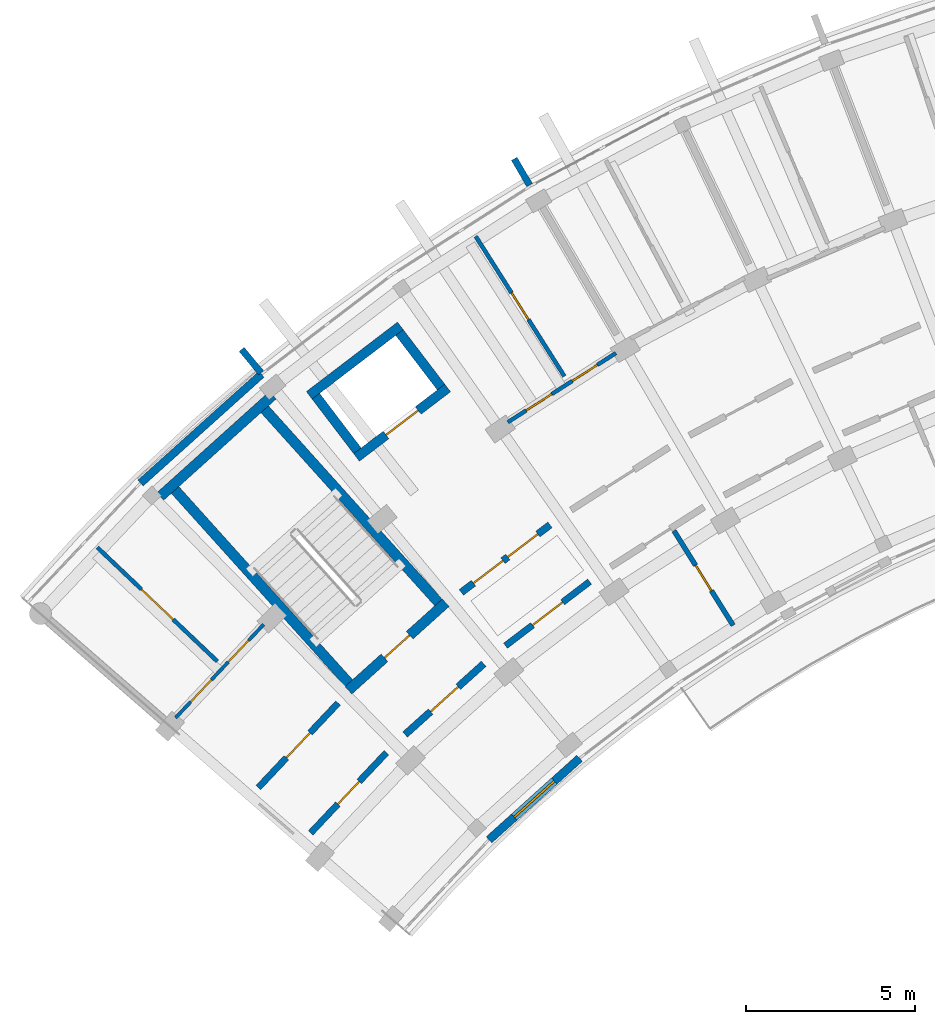
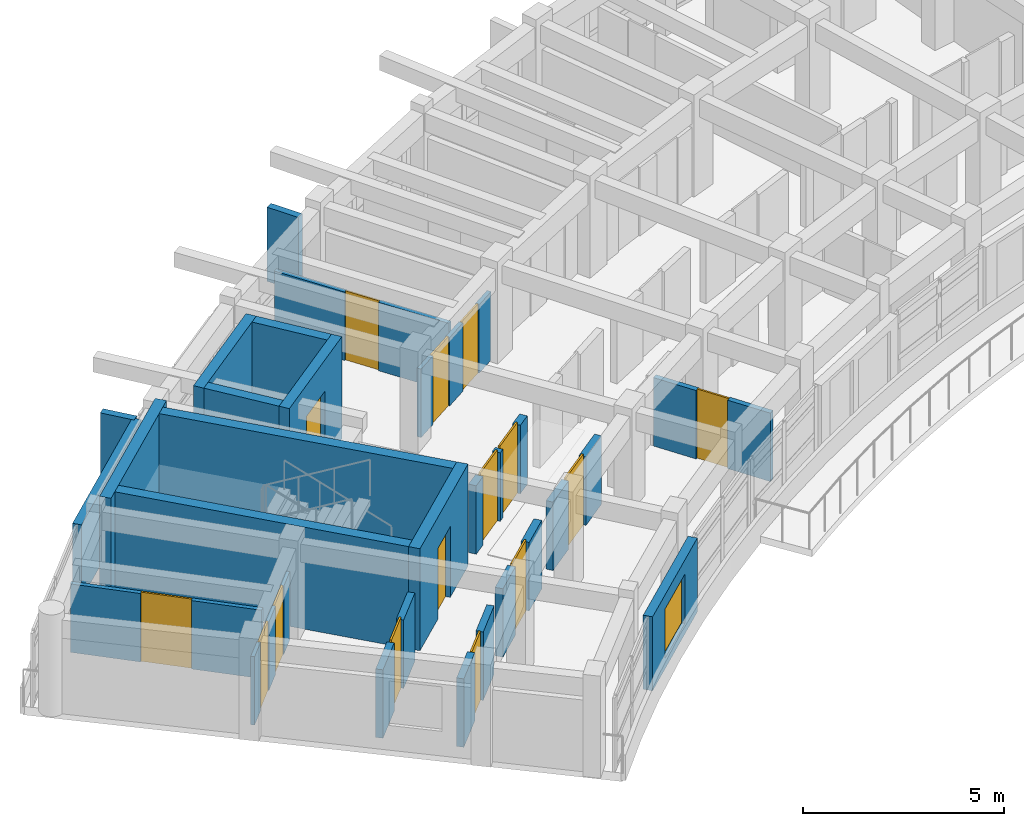
# One storey, part 20 of 38: 22 walls, 15 doors, 1 window, 16 openings.
"""IFC4 building model written with IfcOpenShell, lengths in metres."""

from ifc_helpers import new_model, si_unit, direction, frame, frame_2d, origin, place, context, subcontext, project, spatial, rectangle, extrude, material, layer, layer_set, type_object, element, fill, save


model = new_model("IFC4")

# Units and contexts
model_context = context("Model", 3, precision=1e-05, world=origin(), true_north=direction((0.0, 1.0)))
body_context = subcontext(model_context, "Body", "Model", "MODEL_VIEW")
ifc_project = project(units=[si_unit("LENGTHUNIT", "METRE"), si_unit("AREAUNIT", "SQUARE_METRE"), si_unit("VOLUMEUNIT", "CUBIC_METRE"), si_unit("PLANEANGLEUNIT", "RADIAN"), si_unit("MASSUNIT", "GRAM", prefix="KILO")], contexts=[model_context])

# Site, building, storey
site_placement = place(None, origin())
site = spatial("IfcSite", under=ifc_project, at=site_placement, CompositionType="ELEMENT")
building_placement = place(site_placement, origin())
building = spatial("IfcBuilding", under=site, at=building_placement, Name="Zimvara Arc Housing Community", CompositionType="ELEMENT")
storey_placement = place(building_placement, frame((0.0, 0.0, 29.800048828125)))
storey = spatial("IfcBuildingStorey", under=building, at=storey_placement, Name="L09", CompositionType="ELEMENT", Elevation=29.800048828125)

# Walls
ifc_material_1 = material(Name="Board-Marked Fair-Faced Concrete C35/45", Category="concrete")
ifc_layer_1 = layer(ifc_material_1, 0.195068359375)
ifc_layer_set_1 = layer_set([ifc_layer_1], Name="Board-Marked Fair-Faced Concrete C35/45")
wall_type_1 = type_object("IfcWallType", Name="EWL-PARA-195", PredefinedType="PARAPET", material=ifc_layer_set_1)
wall_1_placement = place(storey_placement, frame((7.09228515625, 90.25732421875, 0.0), z_axis=(0.0, 0.0, 1.0), x_axis=(-0.637967316825, 0.770063440674, 0.0)))
element("IfcWall", 1, at=wall_1_placement, inside=storey, type_object=wall_type_1, Name="finwall:blkA:L09:out:b2", PredefinedType="PARAPET", context=body_context, shape_type="SweptSolid", body=[
    extrude(rectangle(XDim=0.900146484375, YDim=0.195068359375, at=frame_2d((0.4501953125, 0.0))), origin(), (0.0, 0.0, 1.0), 2.25),
])
wall_2_placement = place(storey_placement, frame((15.038818359375, 95.8134765625, 0.0), z_axis=(0.0, 0.0, 1.0), x_axis=(-0.504326383773, 0.863513114336, 0.0)))
element("IfcWall", 2, at=wall_2_placement, inside=storey, type_object=wall_type_1, Name="finwall:blkA:L09:out:b4", PredefinedType="PARAPET", context=body_context, shape_type="SweptSolid", body=[
    extrude(rectangle(XDim=0.89990234375, YDim=0.195068359375, at=frame_2d((0.449951171875, 0.0))), origin(), (0.0, 0.0, 1.0), 2.25),
])
ifc_material_2 = material(Name="Pigmented Fair-Faced Concrete C35/45", Category="concrete")
ifc_layer_2 = layer(ifc_material_2, 0.235107421875)
ifc_layer_set_2 = layer_set([ifc_layer_2], Name="Pigmented Fair-Faced Concrete C35/45")
wall_type_2 = type_object("IfcWallType", Name="EWL-PIGM-235", PredefinedType="SOLIDWALL", material=ifc_layer_set_2)
wall_3_placement = place(storey_placement, frame((3.528076171875, 86.996826171875, 0.0), z_axis=(0.0, 0.0, 1.0), x_axis=(0.743387539862, 0.668860946369, 0.0)))
element("IfcWall", 3, at=wall_3_placement, inside=storey, type_object=wall_type_2, Name="ewall:blkA:L09:out:b1", PredefinedType="SOLIDWALL", context=body_context, shape_type="SweptSolid", body=[
    extrude(rectangle(XDim=4.80908203125, YDim=0.235107421875, at=frame_2d((2.404541015625, 0.0))), origin(), (0.0, 0.0, 1.0), 2.25),
])

# Wall, opening, window
ifc_material_3 = material(Name="Pigmented Fair-Faced Concrete C35/45", Category="concrete")
ifc_layer_3 = layer(ifc_material_3, 0.2451171875)
ifc_layer_set_3 = layer_set([ifc_layer_3], Name="Pigmented Fair-Faced Concrete C35/45")
wall_type_3 = type_object("IfcWallType", Name="EWL-PIGM-245", PredefinedType="SOLIDWALL", material=ifc_layer_set_3)
wall_4_placement = place(storey_placement, frame((13.84033203125, 76.436767578125, 0.0), z_axis=(0.0, 0.0, 1.0), x_axis=(0.743385092197, 0.668863666751, 0.0)))
wall_4 = element("IfcWall", 4, at=wall_4_placement, inside=storey, type_object=wall_type_3, Name="ewall:blkA:L09:in:b1", PredefinedType="SOLIDWALL", context=body_context, shape_type="SweptSolid", body=[
    extrude(rectangle(XDim=3.603759765625, YDim=0.2451171875, at=frame_2d((1.8017578125, 0.0))), origin(), (0.0, 0.0, 1.0), 2.25),
])
opening_1_placement = place(wall_4_placement, frame((1.001708984375, 0.0, 0.320068359375)))
opening_1 = element("IfcOpeningElement", 5, at=opening_1_placement, cuts=wall_4, Name="Opening W03", PredefinedType="OPENING", context=body_context, shape_type="SweptSolid", body=[
    extrude(rectangle(XDim=1.60009765625, YDim=1.5, at=frame_2d((0.800048828125, 0.75))), frame((0.0, 0.132568359375, 0.0), z_axis=(0.0, -1.0, 0.0), x_axis=(1.0, 0.0, 0.0)), (0.0, 0.0, 1.0), 0.26513671875),
])
ifc_material_4 = material(Name="Solar Control Low-E Double Glazing", Category="glass")
window_type = type_object("IfcWindowType", Name="WIN-RES-1600x1500", PartitioningType="DOUBLE_PANEL_VERTICAL", PredefinedType="WINDOW", material=ifc_material_4)
window_placement = place(opening_1_placement, origin())
window = element("IfcWindow", 6, at=window_placement, inside=storey, type_object=window_type, Name="win:blkA:L09:in:b1", OverallHeight=1.5, OverallWidth=1.60009765625, PartitioningType="DOUBLE_PANEL_VERTICAL", PredefinedType="WINDOW", context=body_context, shape_type="SweptSolid", body=[
    extrude(rectangle(XDim=1.60009765625, YDim=1.5, at=frame_2d((0.800048828125, 0.75))), frame((0.0, 0.030029296875, 0.0), z_axis=(0.0, -1.0, 0.0), x_axis=(1.0, 0.0, 0.0)), (0.0, 0.0, 1.0), 0.06005859375),
])
fill(opening_1, window)

# Wall, opening, door
ifc_material_5 = material(Name="Concrete C35/45", Category="concrete")
ifc_layer_4 = layer(ifc_material_5, 0.2099609375)
ifc_layer_set_4 = layer_set([ifc_layer_4], Name="Concrete C35/45")
wall_type_4 = type_object("IfcWallType", Name="IWL-CCF-210", PredefinedType="SOLIDWALL", material=ifc_layer_set_4)
wall_5_placement = place(storey_placement, frame((11.357177734375, 79.5517578125, 0.0), z_axis=(0.0, 0.0, 1.0), x_axis=(0.743387266925, 0.668861249718, 0.0)))
wall_5 = element("IfcWall", 7, at=wall_5_placement, inside=storey, type_object=wall_type_4, Name="iwall:blkA:L09:ccf_div:b1", PredefinedType="SOLIDWALL", context=body_context, shape_type="SweptSolid", body=[
    extrude(rectangle(XDim=3.12841796875, YDim=0.2099609375, at=frame_2d((1.564208984375, 0.0))), origin(), (0.0, 0.0, 1.0), 2.079833984375),
])
opening_2_placement = place(wall_5_placement, frame((1.014404296875, 0.0, 0.0)))
opening_2 = element("IfcOpeningElement", 8, at=opening_2_placement, cuts=wall_5, Name="Opening FD-CCF1", PredefinedType="OPENING", context=body_context, shape_type="SweptSolid", body=[
    extrude(rectangle(XDim=1.10009765625, YDim=2.14990234375, at=frame_2d((0.550048828125, 1.074951171875))), frame((0.0, 0.114990234375, 0.0), z_axis=(0.0, -1.0, 0.0), x_axis=(1.0, 0.0, 0.0)), (0.0, 0.0, 1.0), 0.22998046875),
])
ifc_material_6 = material(Name="Anodised Aluminium AW-6063", Category="aluminium")
door_type_1 = type_object("IfcDoorType", Name="IDR-CCF-1100x2150", OperationType="NOTDEFINED", PredefinedType="DOOR", material=ifc_material_6)
door_1_placement = place(opening_2_placement, origin())
door_1 = element("IfcDoor", 9, at=door_1_placement, inside=storey, type_object=door_type_1, Name="idoor:blkA:L09:ccf_in:b1", OperationType="SINGLE_SWING_LEFT", OverallHeight=2.14990234375, OverallWidth=1.10009765625, PredefinedType="DOOR", context=body_context, shape_type="SweptSolid", body=[
    extrude(rectangle(XDim=1.10009765625, YDim=2.14990234375, at=frame_2d((0.550048828125, 1.074951171875))), frame((0.0, 0.02490234375, 0.0), z_axis=(0.0, -1.0, 0.0), x_axis=(1.0, 0.0, 0.0)), (0.0, 0.0, 1.0), 0.050048828125),
])
fill(opening_2, door_1)

# Wall, openings, doors
wall_6_placement = place(storey_placement, frame((13.021240234375, 83.758544921875, 0.0), z_axis=(0.0, 0.0, 1.0), x_axis=(0.795498026433, 0.605956178235, 0.0)))
wall_6 = element("IfcWall", 10, at=wall_6_placement, inside=storey, type_object=wall_type_4, Name="iwall:blkA:L09:ll_div:b2", PredefinedType="SOLIDWALL", context=body_context, shape_type="SweptSolid", body=[
    extrude(rectangle(XDim=3.296142578125, YDim=0.2099609375, at=frame_2d((1.64794921875, 0.0))), origin(), (0.0, 0.0, 1.0), 2.079833984375),
])
opening_3_placement = place(wall_6_placement, frame((0.449951171875, 0.0, 0.0)))
opening_3 = element("IfcOpeningElement", 11, at=opening_3_placement, cuts=wall_6, Name="Opening FD-CCF1", PredefinedType="OPENING", context=body_context, shape_type="SweptSolid", body=[
    extrude(rectangle(XDim=1.10009765625, YDim=2.14990234375, at=frame_2d((0.550048828125, 1.074951171875))), frame((0.0, 0.114990234375, 0.0), z_axis=(0.0, -1.0, 0.0), x_axis=(1.0, 0.0, 0.0)), (0.0, 0.0, 1.0), 0.22998046875),
])
opening_4_placement = place(wall_6_placement, frame((1.72607421875, 0.0, 0.0)))
opening_4 = element("IfcOpeningElement", 12, at=opening_4_placement, cuts=wall_6, Name="Opening D07", PredefinedType="OPENING", context=body_context, shape_type="SweptSolid", body=[
    extrude(rectangle(XDim=1.1201171875, YDim=2.14990234375, at=frame_2d((0.56005859375, 1.074951171875))), frame((0.0, 0.114990234375, 0.0), z_axis=(0.0, -1.0, 0.0), x_axis=(1.0, 0.0, 0.0)), (0.0, 0.0, 1.0), 0.22998046875),
])
ifc_material_7 = material(Name="Mozambican Hardwood", Category="wood")
door_type_2 = type_object("IfcDoorType", Name="IDR-AMN-1120x2150", OperationType="NOTDEFINED", PredefinedType="DOOR", material=ifc_material_7)
door_2_placement = place(opening_4_placement, origin())
door_2 = element("IfcDoor", 13, at=door_2_placement, inside=storey, type_object=door_type_2, Name="idoor:blkA:L09:rs_in:b2", OperationType="SINGLE_SWING_LEFT", OverallHeight=2.14990234375, OverallWidth=1.1201171875, PredefinedType="DOOR", context=body_context, shape_type="SweptSolid", body=[
    extrude(rectangle(XDim=1.1201171875, YDim=2.14990234375, at=frame_2d((0.56005859375, 1.074951171875))), frame((0.0, 0.02490234375, 0.0), z_axis=(0.0, -1.0, 0.0), x_axis=(1.0, 0.0, 0.0)), (0.0, 0.0, 1.0), 0.050048828125),
])
fill(opening_4, door_2)
door_3_placement = place(opening_3_placement, origin())
door_3 = element("IfcDoor", 14, at=door_3_placement, inside=storey, type_object=door_type_1, Name="idoor:blkA:L09:ll_in:b2", OperationType="SINGLE_SWING_RIGHT", OverallHeight=2.14990234375, OverallWidth=1.10009765625, PredefinedType="DOOR", context=body_context, shape_type="SweptSolid", body=[
    extrude(rectangle(XDim=1.10009765625, YDim=2.14990234375, at=frame_2d((0.550048828125, 1.074951171875))), frame((0.0, 0.02490234375, 0.0), z_axis=(0.0, -1.0, 0.0), x_axis=(1.0, 0.0, 0.0)), (0.0, 0.0, 1.0), 0.050048828125),
])
fill(opening_3, door_3)

# Wall, opening, door
ifc_material_8 = material(Name="Concrete C35/45", Category="concrete")
ifc_layer_5 = layer(ifc_material_8, 0.18994140625)
ifc_layer_set_5 = layer_set([ifc_layer_5], Name="Concrete C35/45")
wall_type_5 = type_object("IfcWallType", Name="IWL-CORR-190", PredefinedType="SOLIDWALL", material=ifc_layer_set_5)
wall_7_placement = place(storey_placement, frame((7.01416015625, 77.98388671875, 0.0), z_axis=(0.0, 0.0, 1.0), x_axis=(0.686310507227, 0.727308660522, 0.0)))
wall_7 = element("IfcWall", 15, at=wall_7_placement, inside=storey, type_object=wall_type_5, Name="iwall:blkA:L09:corr_out:b0", PredefinedType="SOLIDWALL", context=body_context, shape_type="SweptSolid", body=[
    extrude(rectangle(XDim=3.43603515625, YDim=0.18994140625, at=frame_2d((1.718017578125, 0.0))), origin(), (0.0, 0.0, 1.0), 2.079833984375),
])
opening_5_placement = place(wall_7_placement, frame((1.2080078125, 0.0, 0.0)))
opening_5 = element("IfcOpeningElement", 16, at=opening_5_placement, cuts=wall_7, Name="Opening FD-FL2", PredefinedType="OPENING", context=body_context, shape_type="SweptSolid", body=[
    extrude(rectangle(XDim=1.02001953125, YDim=2.14990234375, at=frame_2d((0.510009765625, 1.074951171875))), frame((0.0, 0.10498046875, 0.0), z_axis=(0.0, -1.0, 0.0), x_axis=(1.0, 0.0, 0.0)), (0.0, 0.0, 1.0), 0.2099609375),
])
ifc_material_9 = material(Name="Mozambican Hardwood", Category="wood")
door_type_3 = type_object("IfcDoorType", Name="IDR-FLAT-1020x2150", OperationType="NOTDEFINED", PredefinedType="DOOR", material=ifc_material_9)
door_4_placement = place(opening_5_placement, origin())
door_4 = element("IfcDoor", 17, at=door_4_placement, inside=storey, type_object=door_type_3, Name="idoor:blkA:L09:flat:b0", OperationType="SINGLE_SWING_RIGHT", OverallHeight=2.14990234375, OverallWidth=1.02001953125, PredefinedType="DOOR", context=body_context, shape_type="SweptSolid", body=[
    extrude(rectangle(XDim=1.02001953125, YDim=2.14990234375, at=frame_2d((0.510009765625, 1.074951171875))), frame((0.0, 0.02490234375, 0.0), z_axis=(0.0, -1.0, 0.0), x_axis=(1.0, 0.0, 0.0)), (0.0, 0.0, 1.0), 0.050048828125),
])
fill(opening_5, door_4)

wall_8_placement = place(storey_placement, frame((8.561279296875, 76.638916015625, 0.0), z_axis=(0.0, 0.0, 1.0), x_axis=(0.686307658735, 0.727311348434, 0.0)))
wall_8 = element("IfcWall", 18, at=wall_8_placement, inside=storey, type_object=wall_type_5, Name="iwall:blkA:L09:corr_in:b0", PredefinedType="SOLIDWALL", context=body_context, shape_type="SweptSolid", body=[
    extrude(rectangle(XDim=3.268798828125, YDim=0.18994140625, at=frame_2d((1.63427734375, 0.0))), origin(), (0.0, 0.0, 1.0), 2.079833984375),
])
opening_6_placement = place(wall_8_placement, frame((1.17431640625, 0.0, 0.0)))
opening_6 = element("IfcOpeningElement", 19, at=opening_6_placement, cuts=wall_8, Name="Opening D02", PredefinedType="OPENING", context=body_context, shape_type="SweptSolid", body=[
    extrude(rectangle(XDim=0.919921875, YDim=2.10009765625, at=frame_2d((0.4599609375, 1.050048828125))), frame((0.0, 0.10498046875, 0.0), z_axis=(0.0, -1.0, 0.0), x_axis=(1.0, 0.0, 0.0)), (0.0, 0.0, 1.0), 0.2099609375),
])
ifc_material_10 = material(Name="Mozambican Hardwood", Category="wood")
door_type_4 = type_object("IfcDoorType", Name="IDR-RM-0920x2100", OperationType="NOTDEFINED", PredefinedType="DOOR", material=ifc_material_10)
door_5_placement = place(opening_6_placement, origin())
door_5 = element("IfcDoor", 20, at=door_5_placement, inside=storey, type_object=door_type_4, Name="idoor:blkA:L09:in_rm:b0", OperationType="SINGLE_SWING_LEFT", OverallHeight=2.10009765625, OverallWidth=0.919921875, PredefinedType="DOOR", context=body_context, shape_type="SweptSolid", body=[
    extrude(rectangle(XDim=0.919921875, YDim=2.10009765625, at=frame_2d((0.4599609375, 1.050048828125))), frame((0.0, 0.02490234375, 0.0), z_axis=(0.0, -1.0, 0.0), x_axis=(1.0, 0.0, 0.0)), (0.0, 0.0, 1.0), 0.050048828125),
])
fill(opening_6, door_5)

wall_9_placement = place(storey_placement, frame((14.3291015625, 82.179931640625, 0.0), z_axis=(0.0, 0.0, 1.0), x_axis=(0.795501577908, 0.605951515838, 0.0)))
wall_9 = element("IfcWall", 21, at=wall_9_placement, inside=storey, type_object=wall_type_5, Name="iwall:blkA:L09:ra_div:b2", PredefinedType="SOLIDWALL", context=body_context, shape_type="SweptSolid", body=[
    extrude(rectangle(XDim=3.128662109375, YDim=0.18994140625, at=frame_2d((1.564453125, 0.0))), origin(), (0.0, 0.0, 1.0), 2.079833984375),
])
opening_7_placement = place(wall_9_placement, frame((1.00439453125, 0.0, 0.0)))
opening_7 = element("IfcOpeningElement", 22, at=opening_7_placement, cuts=wall_9, Name="Opening D07", PredefinedType="OPENING", context=body_context, shape_type="SweptSolid", body=[
    extrude(rectangle(XDim=1.1201171875, YDim=2.14990234375, at=frame_2d((0.56005859375, 1.074951171875))), frame((0.0, 0.10498046875, 0.0), z_axis=(0.0, -1.0, 0.0), x_axis=(1.0, 0.0, 0.0)), (0.0, 0.0, 1.0), 0.2099609375),
])
door_6_placement = place(opening_7_placement, origin())
door_6 = element("IfcDoor", 23, at=door_6_placement, inside=storey, type_object=door_type_2, Name="idoor:blkA:L09:ra_d:b2", OperationType="SINGLE_SWING_RIGHT", OverallHeight=2.14990234375, OverallWidth=1.1201171875, PredefinedType="DOOR", context=body_context, shape_type="SweptSolid", body=[
    extrude(rectangle(XDim=1.1201171875, YDim=2.14990234375, at=frame_2d((0.56005859375, 1.074951171875))), frame((0.0, 0.02490234375, 0.0), z_axis=(0.0, -1.0, 0.0), x_axis=(1.0, 0.0, 0.0)), (0.0, 0.0, 1.0), 0.050048828125),
])
fill(opening_7, door_6)

# Wall, openings, doors
ifc_material_11 = material(Name="Painted Acoustic Plasterboard")
ifc_layer_6 = layer(ifc_material_11, 0.10009765625)
ifc_layer_set_6 = layer_set([ifc_layer_6], Name="Painted Acoustic Plasterboard")
wall_type_6 = type_object("IfcWallType", Name="IWL-PART-100", PredefinedType="PARTITIONING", material=ifc_layer_set_6)
wall_10_placement = place(storey_placement, frame((4.564697265625, 80.046875, 0.0), z_axis=(0.0, 0.0, 1.0), x_axis=(0.686300649561, 0.727317962388, 0.0)))
wall_10 = element("IfcWall", 24, at=wall_10_placement, inside=storey, type_object=wall_type_6, Name="iwall:blkA:L09:srv:b0", PredefinedType="PARTITIONING", context=body_context, shape_type="SweptSolid", body=[
    extrude(rectangle(XDim=3.79736328125, YDim=0.10009765625, at=frame_2d((1.898681640625, 0.0))), origin(), (0.0, 0.0, 1.0), 2.079833984375),
])
opening_8_placement = place(wall_10_placement, frame((0.64990234375, 0.0, 0.0)))
opening_8 = element("IfcOpeningElement", 25, at=opening_8_placement, cuts=wall_10, Name="Opening D01", PredefinedType="OPENING", context=body_context, shape_type="SweptSolid", body=[
    extrude(rectangle(XDim=0.89990234375, YDim=2.10009765625, at=frame_2d((0.449951171875, 1.050048828125))), frame((0.0, 0.06005859375, 0.0), z_axis=(0.0, -1.0, 0.0), x_axis=(1.0, 0.0, 0.0)), (0.0, 0.0, 1.0), 0.1201171875),
])
opening_9_placement = place(wall_10_placement, frame((2.267333984375, 0.0, 0.0)))
opening_9 = element("IfcOpeningElement", 26, at=opening_9_placement, cuts=wall_10, Name="Opening D05", PredefinedType="OPENING", context=body_context, shape_type="SweptSolid", body=[
    extrude(rectangle(XDim=0.8798828125, YDim=2.10009765625, at=frame_2d((0.43994140625, 1.050048828125))), frame((0.0, 0.06005859375, 0.0), z_axis=(0.0, -1.0, 0.0), x_axis=(1.0, 0.0, 0.0)), (0.0, 0.0, 1.0), 0.1201171875),
])
ifc_material_12 = material(Name="Mozambican Hardwood", Category="wood")
door_type_5 = type_object("IfcDoorType", Name="IDR-RM-0900x2100", OperationType="NOTDEFINED", PredefinedType="DOOR", material=ifc_material_12)
door_7_placement = place(opening_8_placement, origin())
door_7 = element("IfcDoor", 27, at=door_7_placement, inside=storey, type_object=door_type_5, Name="idoor:blkA:L09:kit_liv:b0", OperationType="SINGLE_SWING_RIGHT", OverallHeight=2.10009765625, OverallWidth=0.89990234375, PredefinedType="DOOR", context=body_context, shape_type="SweptSolid", body=[
    extrude(rectangle(XDim=0.89990234375, YDim=2.10009765625, at=frame_2d((0.449951171875, 1.050048828125))), frame((0.0, 0.02490234375, 0.0), z_axis=(0.0, -1.0, 0.0), x_axis=(1.0, 0.0, 0.0)), (0.0, 0.0, 1.0), 0.050048828125),
])
fill(opening_8, door_7)
ifc_material_13 = material(Name="Mozambican Hardwood", Category="wood")
door_type_6 = type_object("IfcDoorType", Name="IDR-WC-0880x2100", OperationType="NOTDEFINED", PredefinedType="DOOR", material=ifc_material_13)
door_8_placement = place(opening_9_placement, origin())
door_8 = element("IfcDoor", 28, at=door_8_placement, inside=storey, type_object=door_type_6, Name="idoor:blkA:L09:bath_d:b0", OperationType="SINGLE_SWING_LEFT", OverallHeight=2.10009765625, OverallWidth=0.8798828125, PredefinedType="DOOR", context=body_context, shape_type="SweptSolid", body=[
    extrude(rectangle(XDim=0.8798828125, YDim=2.10009765625, at=frame_2d((0.43994140625, 1.050048828125))), frame((0.0, 0.02490234375, 0.0), z_axis=(0.0, -1.0, 0.0), x_axis=(1.0, 0.0, 0.0)), (0.0, 0.0, 1.0), 0.050048828125),
])
fill(opening_9, door_8)

ifc_material_14 = material(Name="Painted Acoustic Plasterboard")
ifc_layer_7 = layer(ifc_material_14, 0.114990234375)
ifc_layer_set_7 = layer_set([ifc_layer_7], Name="Painted Acoustic Plasterboard")
wall_type_7 = type_object("IfcWallType", Name="IWL-PART-115", PredefinedType="PARTITIONING", material=ifc_layer_set_7)
wall_11_placement = place(storey_placement, frame((14.396484375, 88.794677734375, 0.0), z_axis=(0.0, 0.0, 1.0), x_axis=(0.842271400662, 0.539053696423, 0.0)))
wall_11 = element("IfcWall", 29, at=wall_11_placement, inside=storey, type_object=wall_type_7, Name="iwall:blkA:L09:srv:b3", PredefinedType="PARTITIONING", context=body_context, shape_type="SweptSolid", body=[
    extrude(rectangle(XDim=3.797119140625, YDim=0.114990234375, at=frame_2d((1.8984375, 0.0))), origin(), (0.0, 0.0, 1.0), 2.079833984375),
])
opening_10_placement = place(wall_11_placement, frame((0.64990234375, 0.0, 0.0)))
opening_10 = element("IfcOpeningElement", 30, at=opening_10_placement, cuts=wall_11, Name="Opening D01", PredefinedType="OPENING", context=body_context, shape_type="SweptSolid", body=[
    extrude(rectangle(XDim=0.89990234375, YDim=2.10009765625, at=frame_2d((0.449951171875, 1.050048828125))), frame((0.0, 0.0673828125, 0.0), z_axis=(0.0, -1.0, 0.0), x_axis=(1.0, 0.0, 0.0)), (0.0, 0.0, 1.0), 0.135009765625),
])
opening_11_placement = place(wall_11_placement, frame((2.267333984375, 0.0, 0.0)))
opening_11 = element("IfcOpeningElement", 31, at=opening_11_placement, cuts=wall_11, Name="Opening D05", PredefinedType="OPENING", context=body_context, shape_type="SweptSolid", body=[
    extrude(rectangle(XDim=0.8798828125, YDim=2.10009765625, at=frame_2d((0.43994140625, 1.050048828125))), frame((0.0, 0.0673828125, 0.0), z_axis=(0.0, -1.0, 0.0), x_axis=(1.0, 0.0, 0.0)), (0.0, 0.0, 1.0), 0.135009765625),
])
door_9_placement = place(opening_10_placement, origin())
door_9 = element("IfcDoor", 32, at=door_9_placement, inside=storey, type_object=door_type_5, Name="idoor:blkA:L09:kit_liv:b3", OperationType="SINGLE_SWING_RIGHT", OverallHeight=2.10009765625, OverallWidth=0.89990234375, PredefinedType="DOOR", context=body_context, shape_type="SweptSolid", body=[
    extrude(rectangle(XDim=0.89990234375, YDim=2.10009765625, at=frame_2d((0.449951171875, 1.050048828125))), frame((0.0, 0.02490234375, 0.0), z_axis=(0.0, -1.0, 0.0), x_axis=(1.0, 0.0, 0.0)), (0.0, 0.0, 1.0), 0.050048828125),
])
fill(opening_10, door_9)
door_10_placement = place(opening_11_placement, origin())
door_10 = element("IfcDoor", 33, at=door_10_placement, inside=storey, type_object=door_type_6, Name="idoor:blkA:L09:bath_d:b3", OperationType="SINGLE_SWING_LEFT", OverallHeight=2.10009765625, OverallWidth=0.8798828125, PredefinedType="DOOR", context=body_context, shape_type="SweptSolid", body=[
    extrude(rectangle(XDim=0.8798828125, YDim=2.10009765625, at=frame_2d((0.43994140625, 1.050048828125))), frame((0.0, 0.02490234375, 0.0), z_axis=(0.0, -1.0, 0.0), x_axis=(1.0, 0.0, 0.0)), (0.0, 0.0, 1.0), 0.050048828125),
])
fill(opening_11, door_10)

# Wall, opening, door
ifc_material_15 = material(Name="Painted Acoustic Plasterboard")
ifc_layer_8 = layer(ifc_material_15, 0.1201171875)
ifc_layer_set_8 = layer_set([ifc_layer_8], Name="Painted Acoustic Plasterboard")
wall_type_8 = type_object("IfcWallType", Name="IWL-PART-120", PredefinedType="PARTITIONING", material=ifc_layer_set_8)
wall_12_placement = place(storey_placement, frame((5.8017578125, 81.71435546875, 0.0), z_axis=(0.0, 0.0, 1.0), x_axis=(-0.725204659953, 0.688533369694, 0.0)))
wall_12 = element("IfcWall", 34, at=wall_12_placement, inside=storey, type_object=wall_type_8, Name="iwall:blkA:L09:bed_div:b0", PredefinedType="PARTITIONING", context=body_context, shape_type="SweptSolid", body=[
    extrude(rectangle(XDim=4.89990234375, YDim=0.1201171875, at=frame_2d((2.449951171875, 0.0))), origin(), (0.0, 0.0, 1.0), 2.079833984375),
])
opening_12_placement = place(wall_12_placement, frame((1.800048828125, 0.0, 0.0)))
opening_12 = element("IfcOpeningElement", 35, at=opening_12_placement, cuts=wall_12, Name="Opening D20", PredefinedType="OPENING", context=body_context, shape_type="SweptSolid", body=[
    extrude(rectangle(XDim=1.300048828125, YDim=2.10009765625, at=frame_2d((0.64990234375, 1.050048828125))), frame((0.0, 0.070068359375, 0.0), z_axis=(0.0, -1.0, 0.0), x_axis=(1.0, 0.0, 0.0)), (0.0, 0.0, 1.0), 0.14013671875),
])
ifc_material_16 = material(Name="Mozambican Hardwood", Category="wood")
door_type_7 = type_object("IfcDoorType", Name="IDR-MOD-1300x2240", OperationType="NOTDEFINED", PredefinedType="DOOR", material=ifc_material_16)
door_11_placement = place(opening_12_placement, origin())
door_11 = element("IfcDoor", 36, at=door_11_placement, inside=storey, type_object=door_type_7, Name="idoor:blkA:L09:bed_d:b0", OperationType="SINGLE_SWING_RIGHT", OverallHeight=2.10009765625, OverallWidth=1.300048828125, PredefinedType="DOOR", context=body_context, shape_type="SweptSolid", body=[
    extrude(rectangle(XDim=1.300048828125, YDim=2.10009765625, at=frame_2d((0.64990234375, 1.050048828125))), frame((0.0, 0.02490234375, 0.0), z_axis=(0.0, -1.0, 0.0), x_axis=(1.0, 0.0, 0.0)), (0.0, 0.0, 1.0), 0.050048828125),
])
fill(opening_12, door_11)

wall_13_placement = place(storey_placement, frame((16.06982421875, 90.15576171875, 0.0), z_axis=(0.0, 0.0, 1.0), x_axis=(-0.535268985628, 0.84468166372, 0.0)))
wall_13 = element("IfcWall", 37, at=wall_13_placement, inside=storey, type_object=wall_type_8, Name="iwall:blkA:L09:bed_div:b3", PredefinedType="PARTITIONING", context=body_context, shape_type="SweptSolid", body=[
    extrude(rectangle(XDim=4.89990234375, YDim=0.1201171875, at=frame_2d((2.449951171875, 0.0))), origin(), (0.0, 0.0, 1.0), 2.079833984375),
])
opening_13_placement = place(wall_13_placement, frame((1.97998046875, 0.0, 0.0)))
opening_13 = element("IfcOpeningElement", 38, at=opening_13_placement, cuts=wall_13, Name="Opening D03", PredefinedType="OPENING", context=body_context, shape_type="SweptSolid", body=[
    extrude(rectangle(XDim=0.93994140625, YDim=2.10009765625, at=frame_2d((0.469970703125, 1.050048828125))), frame((0.0, 0.070068359375, 0.0), z_axis=(0.0, -1.0, 0.0), x_axis=(1.0, 0.0, 0.0)), (0.0, 0.0, 1.0), 0.14013671875),
])
ifc_material_17 = material(Name="Mozambican Hardwood", Category="wood")
door_type_8 = type_object("IfcDoorType", Name="IDR-RM-0940x2100", OperationType="NOTDEFINED", PredefinedType="DOOR", material=ifc_material_17)
door_12_placement = place(opening_13_placement, origin())
door_12 = element("IfcDoor", 39, at=door_12_placement, inside=storey, type_object=door_type_8, Name="idoor:blkA:L09:bed_d:b3", OperationType="SINGLE_SWING_RIGHT", OverallHeight=2.10009765625, OverallWidth=0.93994140625, PredefinedType="DOOR", context=body_context, shape_type="SweptSolid", body=[
    extrude(rectangle(XDim=0.93994140625, YDim=2.10009765625, at=frame_2d((0.469970703125, 1.050048828125))), frame((0.0, 0.02490234375, 0.0), z_axis=(0.0, -1.0, 0.0), x_axis=(1.0, 0.0, 0.0)), (0.0, 0.0, 1.0), 0.050048828125),
])
fill(opening_13, door_12)

ifc_material_18 = material(Name="Painted Acoustic Plasterboard")
ifc_layer_9 = layer(ifc_material_18, 0.14501953125)
ifc_layer_set_9 = layer_set([ifc_layer_9], Name="Painted Acoustic Plasterboard")
wall_type_9 = type_object("IfcWallType", Name="IWL-WET-145", PredefinedType="PARTITIONING", material=ifc_layer_set_9)
wall_14_placement = place(storey_placement, frame((21.06396484375, 82.782958984375, 0.0), z_axis=(0.0, 0.0, 1.0), x_axis=(-0.53015188203, 0.847902696057, 0.0)))
wall_14 = element("IfcWall", 40, at=wall_14_placement, inside=storey, type_object=wall_type_9, Name="iwall:blkA:L09:ens:b3", PredefinedType="PARTITIONING", context=body_context, shape_type="SweptSolid", body=[
    extrude(rectangle(XDim=3.300048828125, YDim=0.14501953125, at=frame_2d((1.64990234375, 0.0))), origin(), (0.0, 0.0, 1.0), 2.079833984375),
])
opening_14_placement = place(wall_14_placement, frame((1.2099609375, 0.0, 0.0)))
opening_14 = element("IfcOpeningElement", 41, at=opening_14_placement, cuts=wall_14, Name="Opening D05", PredefinedType="OPENING", context=body_context, shape_type="SweptSolid", body=[
    extrude(rectangle(XDim=0.8798828125, YDim=2.10009765625, at=frame_2d((0.43994140625, 1.050048828125))), frame((0.0, 0.08251953125, 0.0), z_axis=(0.0, -1.0, 0.0), x_axis=(1.0, 0.0, 0.0)), (0.0, 0.0, 1.0), 0.1650390625),
])
door_13_placement = place(opening_14_placement, origin())
door_13 = element("IfcDoor", 42, at=door_13_placement, inside=storey, type_object=door_type_6, Name="idoor:blkA:L09:ens_d:b3", OperationType="SINGLE_SWING_LEFT", OverallHeight=2.10009765625, OverallWidth=0.8798828125, PredefinedType="DOOR", context=body_context, shape_type="SweptSolid", body=[
    extrude(rectangle(XDim=0.8798828125, YDim=2.10009765625, at=frame_2d((0.43994140625, 1.050048828125))), frame((0.0, 0.02490234375, 0.0), z_axis=(0.0, -1.0, 0.0), x_axis=(1.0, 0.0, 0.0)), (0.0, 0.0, 1.0), 0.050048828125),
])
fill(opening_14, door_13)

ifc_material_19 = material(Name="Concrete C40/50", Category="concrete")
ifc_layer_10 = layer(ifc_material_19, 0.280029296875)
ifc_layer_set_10 = layer_set([ifc_layer_10], Name="Concrete C40/50")
wall_type_10 = type_object("IfcWallType", Name="WL-CORE-280", PredefinedType="SHEAR", material=ifc_layer_set_10)
wall_15_placement = place(storey_placement, frame((12.615966796875, 89.80712890625, 0.0), z_axis=(0.0, 0.0, 1.0), x_axis=(-0.795474703455, -0.605986795371, 0.0)))
wall_15 = element("IfcWall", 43, at=wall_15_placement, inside=storey, type_object=wall_type_10, Name="lwall:LF-A1:L09:front", PredefinedType="SHEAR", context=body_context, shape_type="SweptSolid", body=[
    extrude(rectangle(XDim=3.389892578125, YDim=0.280029296875, at=frame_2d((1.69482421875, 0.0))), origin(), (0.0, 0.0, 1.0), 3.099853515625),
])
opening_15_placement = place(wall_15_placement, frame((1.094970703125, 0.0, 0.0)))
opening_15 = element("IfcOpeningElement", 44, at=opening_15_placement, cuts=wall_15, Name="Opening LD-LF-A1", PredefinedType="OPENING", context=body_context, shape_type="SweptSolid", body=[
    extrude(rectangle(XDim=1.199951171875, YDim=2.14990234375, at=frame_2d((0.60009765625, 1.074951171875))), frame((0.0, 0.14990234375, 0.0), z_axis=(0.0, -1.0, 0.0), x_axis=(1.0, 0.0, 0.0)), (0.0, 0.0, 1.0), 0.300048828125),
])
ifc_material_20 = material(Name="Anodised Aluminium AW-6063", Category="aluminium")
door_type_9 = type_object("IfcDoorType", Name="IDR-LD-1200x2150", OperationType="DOUBLE_DOOR_SLIDING", PredefinedType="DOOR", material=ifc_material_20)
door_14_placement = place(opening_15_placement, origin())
door_14 = element("IfcDoor", 45, at=door_14_placement, inside=storey, type_object=door_type_9, Name="Lift LF-A1 Sliding Landing Door L09", OperationType="DOUBLE_DOOR_SLIDING", OverallHeight=2.14990234375, OverallWidth=1.199951171875, PredefinedType="DOOR", context=body_context, shape_type="SweptSolid", body=[
    extrude(rectangle(XDim=1.199951171875, YDim=2.14990234375, at=frame_2d((0.60009765625, 1.074951171875))), frame((0.0, 0.02490234375, 0.0), z_axis=(0.0, -1.0, 0.0), x_axis=(1.0, 0.0, 0.0)), (0.0, 0.0, 1.0), 0.050048828125),
])
fill(opening_15, door_14)

# Walls
wall_16_placement = place(storey_placement, frame((11.216064453125, 91.644775390625, 0.0), z_axis=(0.0, 0.0, 1.0), x_axis=(-0.795439986025, -0.606032365994, 0.0)))
element("IfcWall", 46, at=wall_16_placement, inside=storey, type_object=wall_type_10, Name="lwall:LF-A1:L09:back", PredefinedType="SHEAR", context=body_context, shape_type="SweptSolid", body=[
    extrude(rectangle(XDim=3.389892578125, YDim=0.280029296875, at=frame_2d((1.69482421875, 0.0))), origin(), (0.0, 0.0, 1.0), 3.099853515625),
])
wall_17_placement = place(storey_placement, frame((12.419677734375, 89.833740234375, 0.0), z_axis=(0.0, 0.0, 1.0), x_axis=(-0.605948992168, 0.795503500238, 0.0)))
element("IfcWall", 47, at=wall_17_placement, inside=storey, type_object=wall_type_10, Name="lwall:LF-A1:L09:left", PredefinedType="SHEAR", context=body_context, shape_type="SweptSolid", body=[
    extrude(rectangle(XDim=2.02978515625, YDim=0.280029296875, at=frame_2d((1.014892578125, 0.0))), origin(), (0.0, 0.0, 1.0), 3.099853515625),
])
wall_18_placement = place(storey_placement, frame((9.94580078125, 87.948974609375, 0.0), z_axis=(0.0, 0.0, 1.0), x_axis=(-0.605891019062, 0.795547656033, 0.0)))
element("IfcWall", 48, at=wall_18_placement, inside=storey, type_object=wall_type_10, Name="lwall:LF-A1:L09:right", PredefinedType="SHEAR", context=body_context, shape_type="SweptSolid", body=[
    extrude(rectangle(XDim=2.030029296875, YDim=0.280029296875, at=frame_2d((1.01513671875, 0.0))), origin(), (0.0, 0.0, 1.0), 3.099853515625),
])

# Wall, opening, door
ifc_material_21 = material(Name="Concrete C40/50", Category="concrete")
ifc_layer_11 = layer(ifc_material_21, 0.300048828125)
ifc_layer_set_11 = layer_set([ifc_layer_11], Name="Concrete C40/50")
wall_type_11 = type_object("IfcWallType", Name="WL-CORE-300", PredefinedType="SHEAR", material=ifc_layer_set_11)
wall_19_placement = place(storey_placement, frame((12.556884765625, 83.4501953125, 0.0), z_axis=(0.0, 0.0, 1.0), x_axis=(-0.743375696158, -0.668874109501, 0.0)))
wall_19 = element("IfcWall", 49, at=wall_19_placement, inside=storey, type_object=wall_type_11, Name="cwall:ST-A1:L09:near", PredefinedType="SHEAR", context=body_context, shape_type="SweptSolid", body=[
    extrude(rectangle(XDim=3.8701171875, YDim=0.300048828125, at=frame_2d((1.93505859375, 0.0))), origin(), (0.0, 0.0, 1.0), 3.099853515625),
])
opening_16_placement = place(wall_19_placement, frame((1.43505859375, 0.0, 0.0)))
opening_16 = element("IfcOpeningElement", 50, at=opening_16_placement, cuts=wall_19, Name="Opening FD-ST1", PredefinedType="OPENING", context=body_context, shape_type="SweptSolid", body=[
    extrude(rectangle(XDim=1.0, YDim=2.14990234375, at=frame_2d((0.5, 1.074951171875))), frame((0.0, 0.159912109375, 0.0), z_axis=(0.0, -1.0, 0.0), x_axis=(1.0, 0.0, 0.0)), (0.0, 0.0, 1.0), 0.320068359375),
])
ifc_material_22 = material(Name="Anodised Aluminium AW-6063", Category="aluminium")
door_type_10 = type_object("IfcDoorType", Name="IDR-ST-1000x2150", OperationType="NOTDEFINED", PredefinedType="DOOR", material=ifc_material_22)
door_15_placement = place(opening_16_placement, origin())
door_15 = element("IfcDoor", 51, at=door_15_placement, inside=storey, type_object=door_type_10, Name="idoor:ST-A1:L09:entry", OperationType="SINGLE_SWING_LEFT", OverallHeight=2.14990234375, OverallWidth=1.0, PredefinedType="DOOR", context=body_context, shape_type="SweptSolid", body=[
    extrude(rectangle(XDim=1.0, YDim=2.14990234375, at=frame_2d((0.5, 1.074951171875))), frame((0.0, 0.02490234375, 0.0), z_axis=(0.0, -1.0, 0.0), x_axis=(1.0, 0.0, 0.0)), (0.0, 0.0, 1.0), 0.050048828125),
])
fill(opening_16, door_15)

# Walls
wall_20_placement = place(storey_placement, frame((7.435546875, 89.59033203125, 0.0), z_axis=(0.0, 0.0, 1.0), x_axis=(-0.743400052815, -0.668847038922, 0.0)))
element("IfcWall", 52, at=wall_20_placement, inside=storey, type_object=wall_type_11, Name="cwall:ST-A1:L09:far", PredefinedType="SHEAR", context=body_context, shape_type="SweptSolid", body=[
    extrude(rectangle(XDim=4.469970703125, YDim=0.300048828125, at=frame_2d((2.23486328125, 0.0))), origin(), (0.0, 0.0, 1.0), 3.099853515625),
])
wall_21_placement = place(storey_placement, frame((12.344970703125, 83.461181640625, 0.0), z_axis=(0.0, 0.0, 1.0), x_axis=(-0.668868253964, 0.743380964808, 0.0)))
element("IfcWall", 53, at=wall_21_placement, inside=storey, type_object=wall_type_11, Name="cwall:ST-A1:L09:left", PredefinedType="SHEAR", context=body_context, shape_type="SweptSolid", body=[
    extrude(rectangle(XDim=7.68994140625, YDim=0.300048828125, at=frame_2d((3.844970703125, 0.0))), origin(), (0.0, 0.0, 1.0), 3.099853515625),
])
wall_22_placement = place(storey_placement, frame((9.691162109375, 81.073486328125, 0.0), z_axis=(0.0, 0.0, 1.0), x_axis=(-0.668885797871, 0.743365179038, 0.0)))
element("IfcWall", 54, at=wall_22_placement, inside=storey, type_object=wall_type_11, Name="cwall:ST-A1:L09:right", PredefinedType="SHEAR", context=body_context, shape_type="SweptSolid", body=[
    extrude(rectangle(XDim=7.690185546875, YDim=0.300048828125, at=frame_2d((3.84521484375, 0.0))), origin(), (0.0, 0.0, 1.0), 3.099853515625),
])

save(model, "model.ifc")
